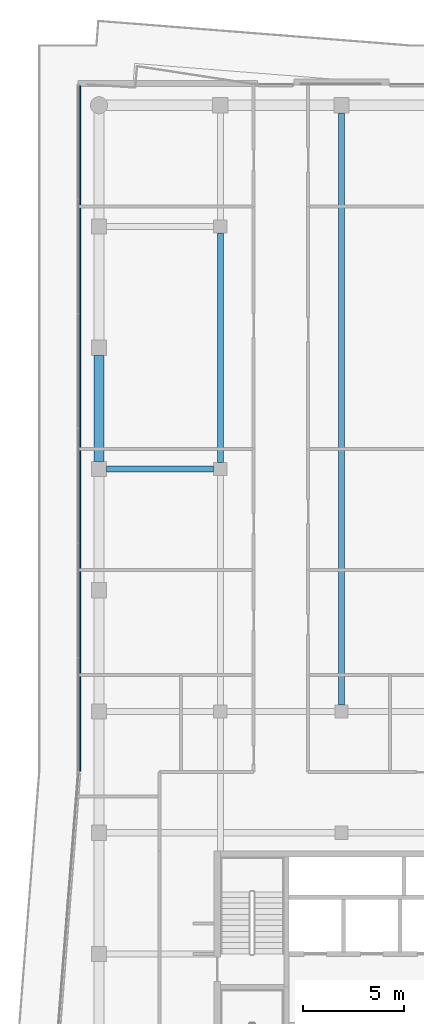
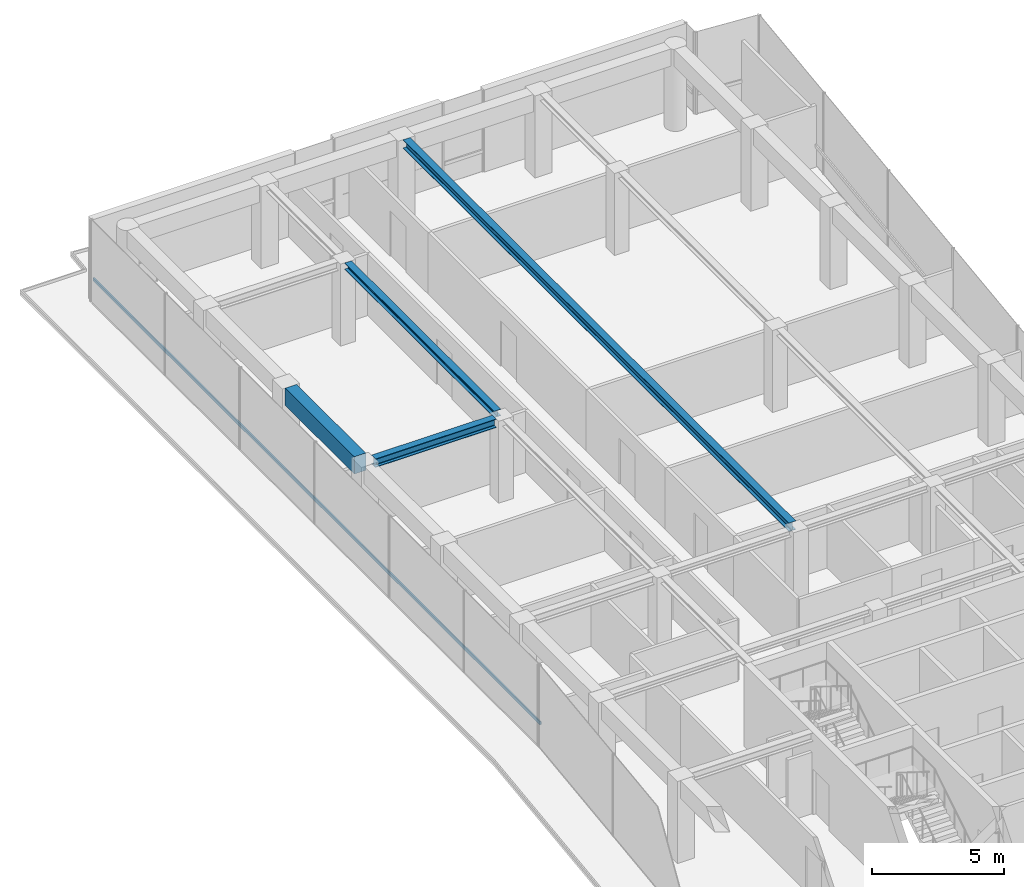
# One storey, part 9 of 22: 4 beams, 1 member, 1 element without a shape of its own.
"""IFC4 building model written with IfcOpenShell, lengths in metres."""

from ifc_helpers import new_model, si_unit, direction, frame, origin, origin_2d, place, context, subcontext, project, spatial, rectangle, i_section, extrude, material, layer, layer_set, material_profile, profile_set, type_object, element, aggregate, save


model = new_model("IFC4")

# Units and contexts
model_context = context("Model", 3, precision=1e-05, world=origin(), true_north=direction((0.0, 1.0)))
body_context = subcontext(model_context, "Body", "Model", "MODEL_VIEW")
ifc_project = project(units=[si_unit("LENGTHUNIT", "METRE"), si_unit("AREAUNIT", "SQUARE_METRE"), si_unit("VOLUMEUNIT", "CUBIC_METRE"), si_unit("PLANEANGLEUNIT", "RADIAN"), si_unit("MASSUNIT", "GRAM", prefix="KILO")], contexts=[model_context])

# Site, building, storey
site_placement = place(None, origin())
site = spatial("IfcSite", under=ifc_project, at=site_placement, CompositionType="ELEMENT")
building_placement = place(site_placement, origin())
building = spatial("IfcBuilding", under=site, at=building_placement, Name="Welwitschia Terrace Campus", CompositionType="ELEMENT")
storey_placement = place(building_placement, frame((0.0, 0.0, 268.39990234375)))
storey = spatial("IfcBuildingStorey", under=building, at=storey_placement, Name="L59", CompositionType="ELEMENT", Elevation=268.39990234375)

# Beams
ifc_material_1 = material(Name="Steel S355", Category="steel")
ifc_material_profile_1 = material_profile(ifc_material_1, i_section(OverallWidth=0.300048828125, OverallDepth=0.300048828125, WebThickness=0.010986328125, FlangeThickness=0.01904296875, FilletRadius=0.027099609375, at=origin_2d()))
ifc_profile_set_1 = profile_set([ifc_material_profile_1], Name="Steel S355")
beam_type_1 = type_object("IfcBeamType", Name="Interior girder HE 300 B", PredefinedType="BEAM", material=ifc_profile_set_1)
beam_1_placement = place(storey_placement, frame((6.0, 44.325439453125, 3.650146484375), z_axis=(0.0, 1.0, 0.0), x_axis=(-1.0, 0.0, 0.0)))
element("IfcBeam", 1, at=beam_1_placement, inside=storey, type_object=beam_type_1, Name="Girder GB6", PredefinedType="BEAM", context=body_context, shape_type="SweptSolid", body=[
    extrude(i_section(OverallWidth=0.300048828125, OverallDepth=0.300048828125, WebThickness=0.010986328125, FlangeThickness=0.01904296875, FilletRadius=0.027099609375, at=origin_2d()), origin(), (0.0, 0.0, 1.0), 11.34912109375),
])
ifc_material_2 = material(Name="Steel S355", Category="steel")
ifc_material_profile_2 = material_profile(ifc_material_2, i_section(OverallWidth=0.300048828125, OverallDepth=0.39990234375, WebThickness=0.013427734375, FlangeThickness=0.02392578125, FilletRadius=0.027099609375, at=origin_2d()))
ifc_profile_set_2 = profile_set([ifc_material_profile_2], Name="Steel S355")
beam_type_2 = type_object("IfcBeamType", Name="Primary beam HE 400 B", PredefinedType="BEAM", material=ifc_profile_set_2)
beam_2_placement = place(storey_placement, frame((12.0, 61.62451171875, 3.60009765625), z_axis=(0.0, -1.0, 0.0), x_axis=(1.0, 0.0, 0.0)))
element("IfcBeam", 2, at=beam_2_placement, inside=storey, type_object=beam_type_2, Name="Primary beam PB6", PredefinedType="BEAM", context=body_context, shape_type="SweptSolid", body=[
    extrude(i_section(OverallWidth=0.300048828125, OverallDepth=0.39990234375, WebThickness=0.013427734375, FlangeThickness=0.02392578125, FilletRadius=0.027099609375, at=origin_2d()), origin(), (0.0, 0.0, 1.0), 29.299072265625),
])
beam_3_placement = place(storey_placement, frame((0.37548828125, 44.0, 3.60009765625), z_axis=(1.0, 0.0, 0.0), x_axis=(0.0, 1.0, 0.0)))
element("IfcBeam", 3, at=beam_3_placement, inside=storey, type_object=beam_type_2, Name="Primary beam PB6", PredefinedType="BEAM", context=body_context, shape_type="SweptSolid", body=[
    extrude(i_section(OverallWidth=0.300048828125, OverallDepth=0.39990234375, WebThickness=0.013427734375, FlangeThickness=0.02392578125, FilletRadius=0.027099609375, at=origin_2d()), origin(), (0.0, 0.0, 1.0), 5.299072265625),
])
ifc_material_3 = material(Name="Concrete C50/60", Category="concrete")
ifc_material_profile_3 = material_profile(ifc_material_3, rectangle(XDim=0.5, YDim=0.800048828125, at=origin_2d()))
ifc_profile_set_3 = profile_set([ifc_material_profile_3], Name="Concrete C50/60")
beam_type_3 = type_object("IfcBeamType", Name="Ring spandrel 500x800", PredefinedType="SPANDREL", material=ifc_profile_set_3)
beam_4_placement = place(storey_placement, frame((0.0, 49.62451171875, 3.400146484375), z_axis=(0.0, -1.0, 0.0), x_axis=(1.0, 0.0, 0.0)))
element("IfcBeam", 4, at=beam_4_placement, inside=storey, type_object=beam_type_3, Name="Spandrel SP4", PredefinedType="SPANDREL", context=body_context, shape_type="SweptSolid", body=[
    extrude(rectangle(XDim=0.5, YDim=0.800048828125, at=origin_2d()), origin(), (0.0, 0.0, 1.0), 5.2490234375),
])

# Curtain wall, member
ifc_material_4 = material(Name="Bronze anodised aluminium", Category="aluminium")
ifc_layer = layer(ifc_material_4, 0.1201171875)
ifc_layer_set = layer_set([ifc_layer], Name="Bronze anodised aluminium")
curtain_wall_type = type_object("IfcCurtainWallType", Name="Curtain wall CW2 tower 6000", PredefinedType="NOTDEFINED", material=ifc_layer_set)
curtain_wall_placement = place(storey_placement, origin())
curtain_wall = element("IfcCurtainWall", 5, at=curtain_wall_placement, inside=storey, type_object=curtain_wall_type, Name="CW L59.0.0", PredefinedType="NOTDEFINED")
ifc_material_5 = material(Name="Bronze anodised aluminium", Category="aluminium")
ifc_material_profile_4 = material_profile(ifc_material_5, rectangle(XDim=0.06005859375, YDim=0.14990234375, at=origin_2d()))
ifc_profile_set_4 = profile_set([ifc_material_profile_4], Name="Bronze anodised aluminium")
member_type = type_object("IfcMemberType", Name="Transom 60x150", PredefinedType="USERDEFINED", material=ifc_profile_set_4)
member_placement = place(storey_placement, frame((-0.93994140625, 62.969970703125, 1.0), z_axis=(0.0, -1.0, 0.0), x_axis=(1.0, 0.0, 0.0)))
member = element("IfcMember", 6, at=member_placement, type_object=member_type, Name="Transom L59.0.0", ObjectType="TRANSOM", PredefinedType="USERDEFINED", context=body_context, shape_type="SweptSolid", body=[
    extrude(rectangle(XDim=0.06005859375, YDim=0.14990234375, at=origin_2d()), origin(), (0.0, 0.0, 1.0), 33.932373046875),
])
aggregate(curtain_wall, [member])

save(model, "model.ifc")
